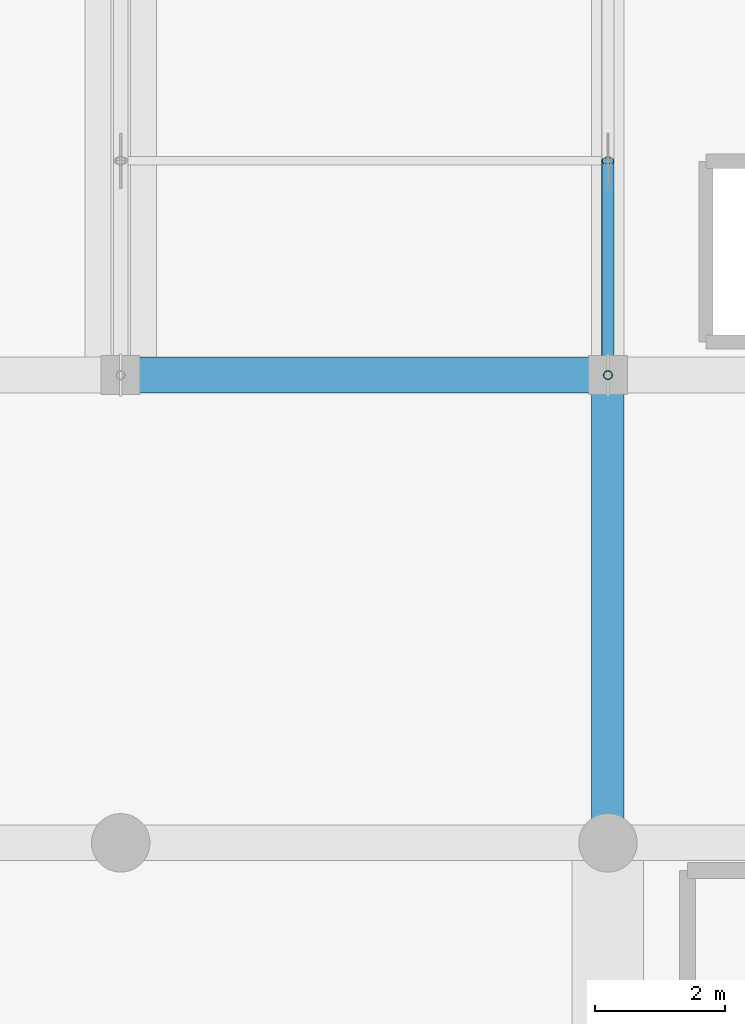
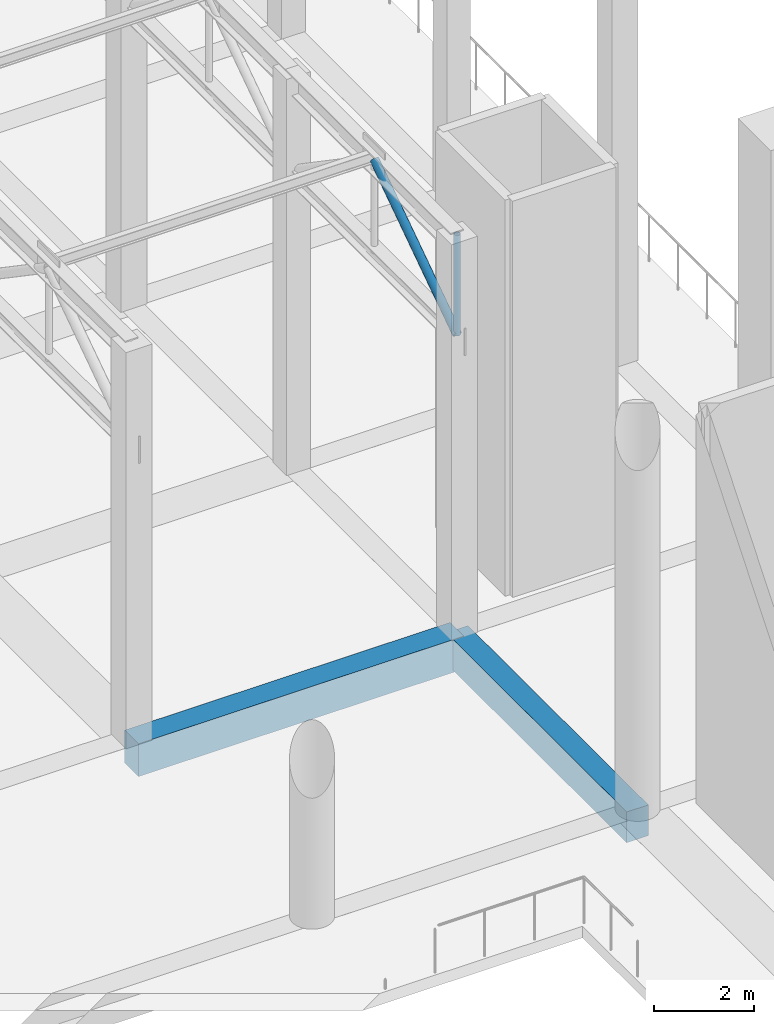
# One storey, part 14 of 80: 2 beams, 2 members.
"""IFC4 building model written with IfcOpenShell, lengths in metres."""

from ifc_helpers import new_model, si_unit, direction, frame, origin, origin_2d, place, context, subcontext, project, spatial, rectangle, hollow_circle, extrude, material, material_profile, profile_set, type_object, element, save


model = new_model("IFC4")

# Units and contexts
model_context = context("Model", 3, precision=1e-05, world=origin(), true_north=direction((0.0, 1.0)))
body_context = subcontext(model_context, "Body", "Model", "MODEL_VIEW")
ifc_project = project(units=[si_unit("LENGTHUNIT", "METRE"), si_unit("AREAUNIT", "SQUARE_METRE"), si_unit("VOLUMEUNIT", "CUBIC_METRE"), si_unit("PLANEANGLEUNIT", "RADIAN"), si_unit("MASSUNIT", "GRAM", prefix="KILO")], contexts=[model_context])

# Site, building, storey
site_placement = place(None, origin())
site = spatial("IfcSite", under=ifc_project, at=site_placement, CompositionType="ELEMENT")
building_placement = place(site_placement, origin())
building = spatial("IfcBuilding", under=site, at=building_placement, Name="Akrevak Sports Hall", CompositionType="ELEMENT")
storey_placement = place(building_placement, frame((0.0, 0.0, 14.0)))
storey = spatial("IfcBuildingStorey", under=building, at=storey_placement, Name="L03", CompositionType="ELEMENT", Elevation=14.0)

# Beams
ifc_material_1 = material(Name="Concrete C40/50", Category="concrete")
ifc_material_profile_1 = material_profile(ifc_material_1, rectangle(XDim=0.5, YDim=0.75, at=origin_2d()), Name="BM 500x750", Category="concrete")
ifc_profile_set_1 = profile_set([ifc_material_profile_1], Name="Concrete C40/50")
beam_type_1 = type_object("IfcBeamType", Name="STR-BM-RC500x750", PredefinedType="BEAM", material=ifc_profile_set_1)
beam_1_placement = place(storey_placement, frame((30.0, 21.60009765625, -0.375), z_axis=(0.0, 1.0, 0.0), x_axis=(-1.0, 0.0, 0.0)))
element("IfcBeam", 1, at=beam_1_placement, inside=storey, type_object=beam_type_1, Name="Girder 5/D-E (L03)", PredefinedType="BEAM", context=body_context, shape_type="SweptSolid", body=[
    extrude(rectangle(XDim=0.5, YDim=0.75, at=origin_2d()), origin(), (0.0, 0.0, 1.0), 7.199951171875),
])
ifc_material_profile_2 = material_profile(ifc_material_1, rectangle(XDim=0.550048828125, YDim=0.800048828125, at=origin_2d()), Name="BM 550x800", Category="concrete")
ifc_profile_set_2 = profile_set([ifc_material_profile_2], Name="Concrete C40/50")
beam_type_2 = type_object("IfcBeamType", Name="STR-BM-RC550x800", PredefinedType="BEAM", material=ifc_profile_set_2)
beam_2_placement = place(storey_placement, frame((22.5, 28.800048828125, -0.39990234375), z_axis=(1.0, 0.0, 0.0), x_axis=(0.0, 1.0, 0.0)))
element("IfcBeam", 2, at=beam_2_placement, inside=storey, type_object=beam_type_2, Name="Girder E/4-5 (L03)", PredefinedType="BEAM", context=body_context, shape_type="SweptSolid", body=[
    extrude(rectangle(XDim=0.550048828125, YDim=0.800048828125, at=origin_2d()), origin(), (0.0, 0.0, 1.0), 7.5),
])

# Members
ifc_material_2 = material(Name="Steel S355", Category="steel")
ifc_material_profile_3 = material_profile(ifc_material_2, hollow_circle(Radius=0.06982421875, WallThickness=0.008056640625, at=origin_2d()), Name="CHS 139.7x8", Category="steel")
ifc_profile_set_3 = profile_set([ifc_material_profile_3], Name="Steel S355")
member_type_1 = type_object("IfcMemberType", Name="STR-MEM-BRACE-CHS139", PredefinedType="BRACE", material=ifc_profile_set_3)
member_1_placement = place(storey_placement, frame((30.0, 28.800048828125, 7.18994140625), z_axis=(0.0, 0.0, 1.0), x_axis=(1.0, 0.0, 0.0)))
element("IfcMember", 3, at=member_1_placement, inside=storey, type_object=member_type_1, Name="Roof Truss 2 Bearing End Post E", PredefinedType="BRACE", context=body_context, shape_type="SweptSolid", body=[
    extrude(hollow_circle(Radius=0.06982421875, WallThickness=0.008056640625, at=origin_2d()), origin(), (0.0, 0.0, 1.0), 2.449951171875),
])
ifc_material_profile_4 = material_profile(ifc_material_2, hollow_circle(Radius=0.096923828125, WallThickness=0.010009765625, at=origin_2d()), Name="CHS 193.7x10", Category="steel")
ifc_profile_set_4 = profile_set([ifc_material_profile_4], Name="Steel S355")
member_type_2 = type_object("IfcMemberType", Name="STR-MEM-BRACE-CHS193", PredefinedType="BRACE", material=ifc_profile_set_4)
member_2_placement = place(storey_placement, frame((30.0, 28.800048828125, 7.18994140625), z_axis=(0.0, 0.826231222393, 0.56333113454), x_axis=(-1.0, 0.0, 0.0)))
element("IfcMember", 4, at=member_2_placement, inside=storey, type_object=member_type_2, Name="Roof Truss 2 Web Diagonal 1A", PredefinedType="BRACE", context=body_context, shape_type="SweptSolid", body=[
    extrude(hollow_circle(Radius=0.096923828125, WallThickness=0.010009765625, at=origin_2d()), origin(), (0.0, 0.0, 1.0), 3.994140625),
])

save(model, "model.ifc")
